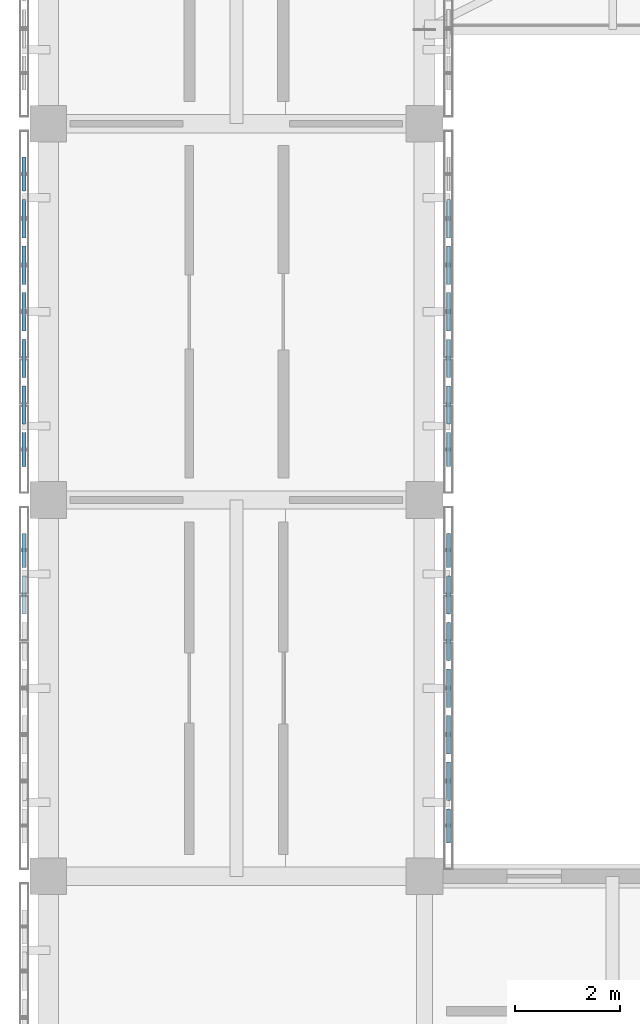
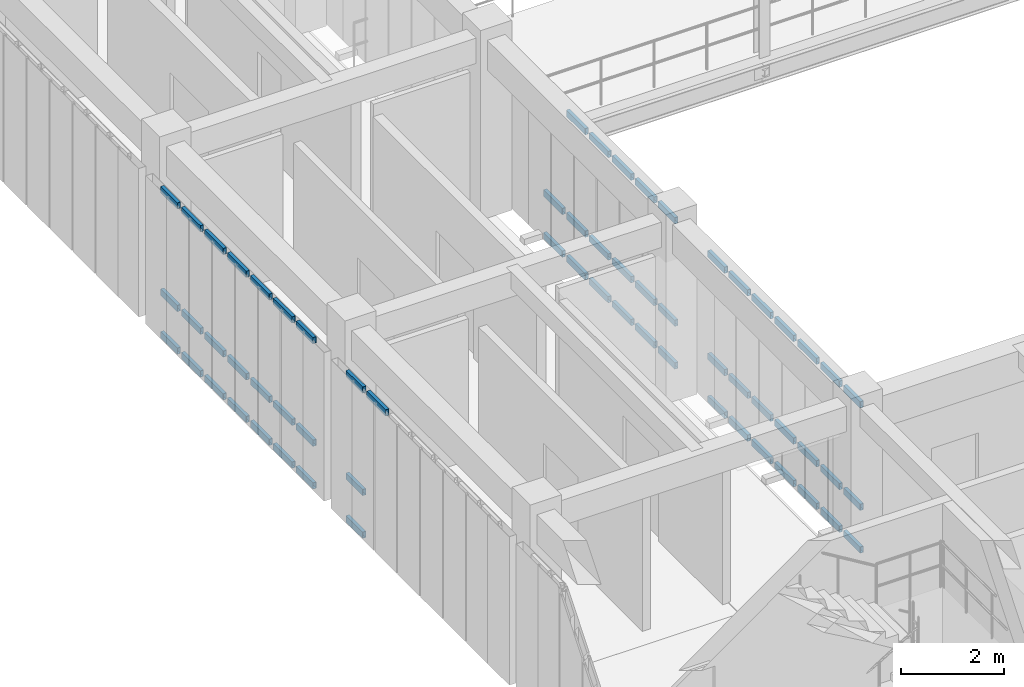
# One storey, part 77 of 171: 63 members, 4 elements without a shape of their own.
"""IFC4 building model written with IfcOpenShell, lengths in metres."""

from ifc_helpers import new_model, si_unit, direction, frame, origin, origin_2d, place, context, subcontext, project, spatial, hollow_rectangle, extrude, material, material_profile, profile_set, type_object, element, aggregate, save


model = new_model("IFC4")

# Units and contexts
model_context = context("Model", 3, precision=1e-05, world=origin(), true_north=direction((0.0, 1.0)))
body_context = subcontext(model_context, "Body", "Model", "MODEL_VIEW")
ifc_project = project(units=[si_unit("LENGTHUNIT", "METRE"), si_unit("AREAUNIT", "SQUARE_METRE"), si_unit("VOLUMEUNIT", "CUBIC_METRE"), si_unit("PLANEANGLEUNIT", "RADIAN"), si_unit("MASSUNIT", "GRAM", prefix="KILO")], contexts=[model_context])

# Site, building, storey
site_placement = place(None, origin())
site = spatial("IfcSite", under=ifc_project, at=site_placement, CompositionType="ELEMENT")
building_placement = place(site_placement, origin())
building = spatial("IfcBuilding", under=site, at=building_placement, Name="Aldebral Square Health Centre", CompositionType="ELEMENT")
storey_placement = place(building_placement, frame((0.0, 0.0, 4.5)))
storey = spatial("IfcBuildingStorey", under=building, at=storey_placement, Name="L01", CompositionType="ELEMENT", Elevation=4.5)

# Curtain wall, members
ifc_material_1 = material(Name="Aluminium and low-E solar glass", Category="aluminium")
curtain_wall_type = type_object("IfcCurtainWallType", Name="CW-FIN-SYS", PredefinedType="USERDEFINED", material=ifc_material_1)
curtain_wall_1_placement = place(storey_placement, origin())
curtain_wall_1 = element("IfcCurtainWall", 1, at=curtain_wall_1_placement, inside=storey, type_object=curtain_wall_type, Name="L01 V4 finned curtain wall L01-V4-00-09-W", ObjectType="SOLAR_CURTAIN_WALL", PredefinedType="USERDEFINED")
ifc_material_2 = material(Name="Anodised aluminium transom", Category="aluminium")
ifc_material_profile = material_profile(ifc_material_2, hollow_rectangle(XDim=0.074951171875, YDim=0.14990234375, WallThickness=0.00390625, at=origin_2d()), Name="CWT 75x150x4")
ifc_profile_set = profile_set([ifc_material_profile], Name="Anodised aluminium transom")
member_type = type_object("IfcMemberType", Name="CWT-STD", PredefinedType="USERDEFINED", material=ifc_profile_set)
member_1_placement = place(storey_placement, frame((-0.4599609375, 71.360107421875, 0.03759765625), z_axis=(0.0, -1.0, 0.0), x_axis=(1.0, 0.0, 0.0)))
member_1 = element("IfcMember", 2, at=member_1_placement, type_object=member_type, Name="CW1 transom 1.1", ObjectType="TRANSOM", PredefinedType="USERDEFINED", context=body_context, shape_type="SweptSolid", body=[
    extrude(hollow_rectangle(XDim=0.074951171875, YDim=0.14990234375, WallThickness=0.00390625, at=origin_2d()), origin(), (0.0, 0.0, 1.0), 0.651611328125),
])
member_2_placement = place(storey_placement, frame((-0.4599609375, 71.360107421875, 1.050048828125), z_axis=(0.0, -1.0, 0.0), x_axis=(1.0, 0.0, 0.0)))
member_2 = element("IfcMember", 3, at=member_2_placement, type_object=member_type, Name="CW1 transom 1.2", ObjectType="TRANSOM", PredefinedType="USERDEFINED", context=body_context, shape_type="SweptSolid", body=[
    extrude(hollow_rectangle(XDim=0.074951171875, YDim=0.14990234375, WallThickness=0.00390625, at=origin_2d()), origin(), (0.0, 0.0, 1.0), 0.651611328125),
])
member_3_placement = place(storey_placement, frame((-0.4599609375, 71.360107421875, 3.482421875), z_axis=(0.0, -1.0, 0.0), x_axis=(1.0, 0.0, 0.0)))
member_3 = element("IfcMember", 4, at=member_3_placement, type_object=member_type, Name="CW1 transom 1.3", ObjectType="TRANSOM", PredefinedType="USERDEFINED", context=body_context, shape_type="SweptSolid", body=[
    extrude(hollow_rectangle(XDim=0.074951171875, YDim=0.14990234375, WallThickness=0.00390625, at=origin_2d()), origin(), (0.0, 0.0, 1.0), 0.651611328125),
])
member_4_placement = place(storey_placement, frame((-0.4599609375, 70.548583984375, 3.482421875), z_axis=(0.0, -1.0, 0.0), x_axis=(1.0, 0.0, 0.0)))
member_4 = element("IfcMember", 5, at=member_4_placement, type_object=member_type, Name="CW1 transom 2.3", ObjectType="TRANSOM", PredefinedType="USERDEFINED", context=body_context, shape_type="SweptSolid", body=[
    extrude(hollow_rectangle(XDim=0.074951171875, YDim=0.14990234375, WallThickness=0.00390625, at=origin_2d()), origin(), (0.0, 0.0, 1.0), 0.7314453125),
])
aggregate(curtain_wall_1, [member_1, member_2, member_3, member_4])

curtain_wall_2_placement = place(storey_placement, origin())
curtain_wall_2 = element("IfcCurtainWall", 6, at=curtain_wall_2_placement, inside=storey, type_object=curtain_wall_type, Name="L01 V4 finned curtain wall L01-V4-00-09-E", ObjectType="SOLAR_CURTAIN_WALL", PredefinedType="USERDEFINED")
member_5_placement = place(storey_placement, frame((7.659912109375, 65.43994140625, 0.03759765625), z_axis=(0.0, 1.0, 0.0), x_axis=(-1.0, 0.0, 0.0)))
member_5 = element("IfcMember", 7, at=member_5_placement, type_object=member_type, Name="CW1 transom 1.1", ObjectType="TRANSOM", PredefinedType="USERDEFINED", context=body_context, shape_type="SweptSolid", body=[
    extrude(hollow_rectangle(XDim=0.074951171875, YDim=0.14990234375, WallThickness=0.00390625, at=origin_2d()), origin(), (0.0, 0.0, 1.0), 0.6513671875),
])
member_6_placement = place(storey_placement, frame((7.659912109375, 65.43994140625, 1.050048828125), z_axis=(0.0, 1.0, 0.0), x_axis=(-1.0, 0.0, 0.0)))
member_6 = element("IfcMember", 8, at=member_6_placement, type_object=member_type, Name="CW1 transom 1.2", ObjectType="TRANSOM", PredefinedType="USERDEFINED", context=body_context, shape_type="SweptSolid", body=[
    extrude(hollow_rectangle(XDim=0.074951171875, YDim=0.14990234375, WallThickness=0.00390625, at=origin_2d()), origin(), (0.0, 0.0, 1.0), 0.6513671875),
])
member_7_placement = place(storey_placement, frame((7.659912109375, 65.43994140625, 3.482421875), z_axis=(0.0, 1.0, 0.0), x_axis=(-1.0, 0.0, 0.0)))
member_7 = element("IfcMember", 9, at=member_7_placement, type_object=member_type, Name="CW1 transom 1.3", ObjectType="TRANSOM", PredefinedType="USERDEFINED", context=body_context, shape_type="SweptSolid", body=[
    extrude(hollow_rectangle(XDim=0.074951171875, YDim=0.14990234375, WallThickness=0.00390625, at=origin_2d()), origin(), (0.0, 0.0, 1.0), 0.6513671875),
])
member_8_placement = place(storey_placement, frame((7.659912109375, 66.25146484375, 0.03759765625), z_axis=(0.0, 1.0, 0.0), x_axis=(-1.0, 0.0, 0.0)))
member_8 = element("IfcMember", 10, at=member_8_placement, type_object=member_type, Name="CW1 transom 2.1", ObjectType="TRANSOM", PredefinedType="USERDEFINED", context=body_context, shape_type="SweptSolid", body=[
    extrude(hollow_rectangle(XDim=0.074951171875, YDim=0.14990234375, WallThickness=0.00390625, at=origin_2d()), origin(), (0.0, 0.0, 1.0), 0.7314453125),
])
member_9_placement = place(storey_placement, frame((7.659912109375, 66.25146484375, 1.050048828125), z_axis=(0.0, 1.0, 0.0), x_axis=(-1.0, 0.0, 0.0)))
member_9 = element("IfcMember", 11, at=member_9_placement, type_object=member_type, Name="CW1 transom 2.2", ObjectType="TRANSOM", PredefinedType="USERDEFINED", context=body_context, shape_type="SweptSolid", body=[
    extrude(hollow_rectangle(XDim=0.074951171875, YDim=0.14990234375, WallThickness=0.00390625, at=origin_2d()), origin(), (0.0, 0.0, 1.0), 0.7314453125),
])
member_10_placement = place(storey_placement, frame((7.659912109375, 66.25146484375, 3.482421875), z_axis=(0.0, 1.0, 0.0), x_axis=(-1.0, 0.0, 0.0)))
member_10 = element("IfcMember", 12, at=member_10_placement, type_object=member_type, Name="CW1 transom 2.3", ObjectType="TRANSOM", PredefinedType="USERDEFINED", context=body_context, shape_type="SweptSolid", body=[
    extrude(hollow_rectangle(XDim=0.074951171875, YDim=0.14990234375, WallThickness=0.00390625, at=origin_2d()), origin(), (0.0, 0.0, 1.0), 0.7314453125),
])
member_11_placement = place(storey_placement, frame((7.659912109375, 67.142822265625, 0.03759765625), z_axis=(0.0, 1.0, 0.0), x_axis=(-1.0, 0.0, 0.0)))
member_11 = element("IfcMember", 13, at=member_11_placement, type_object=member_type, Name="CW1 transom 3.1", ObjectType="TRANSOM", PredefinedType="USERDEFINED", context=body_context, shape_type="SweptSolid", body=[
    extrude(hollow_rectangle(XDim=0.074951171875, YDim=0.14990234375, WallThickness=0.00390625, at=origin_2d()), origin(), (0.0, 0.0, 1.0), 0.7314453125),
])
member_12_placement = place(storey_placement, frame((7.659912109375, 67.142822265625, 1.050048828125), z_axis=(0.0, 1.0, 0.0), x_axis=(-1.0, 0.0, 0.0)))
member_12 = element("IfcMember", 14, at=member_12_placement, type_object=member_type, Name="CW1 transom 3.2", ObjectType="TRANSOM", PredefinedType="USERDEFINED", context=body_context, shape_type="SweptSolid", body=[
    extrude(hollow_rectangle(XDim=0.074951171875, YDim=0.14990234375, WallThickness=0.00390625, at=origin_2d()), origin(), (0.0, 0.0, 1.0), 0.7314453125),
])
member_13_placement = place(storey_placement, frame((7.659912109375, 67.142822265625, 3.482421875), z_axis=(0.0, 1.0, 0.0), x_axis=(-1.0, 0.0, 0.0)))
member_13 = element("IfcMember", 15, at=member_13_placement, type_object=member_type, Name="CW1 transom 3.3", ObjectType="TRANSOM", PredefinedType="USERDEFINED", context=body_context, shape_type="SweptSolid", body=[
    extrude(hollow_rectangle(XDim=0.074951171875, YDim=0.14990234375, WallThickness=0.00390625, at=origin_2d()), origin(), (0.0, 0.0, 1.0), 0.7314453125),
])
member_14_placement = place(storey_placement, frame((7.659912109375, 68.0341796875, 0.03759765625), z_axis=(0.0, 1.0, 0.0), x_axis=(-1.0, 0.0, 0.0)))
member_14 = element("IfcMember", 16, at=member_14_placement, type_object=member_type, Name="CW1 transom 4.1", ObjectType="TRANSOM", PredefinedType="USERDEFINED", context=body_context, shape_type="SweptSolid", body=[
    extrude(hollow_rectangle(XDim=0.074951171875, YDim=0.14990234375, WallThickness=0.00390625, at=origin_2d()), origin(), (0.0, 0.0, 1.0), 0.7314453125),
])
member_15_placement = place(storey_placement, frame((7.659912109375, 68.0341796875, 1.050048828125), z_axis=(0.0, 1.0, 0.0), x_axis=(-1.0, 0.0, 0.0)))
member_15 = element("IfcMember", 17, at=member_15_placement, type_object=member_type, Name="CW1 transom 4.2", ObjectType="TRANSOM", PredefinedType="USERDEFINED", context=body_context, shape_type="SweptSolid", body=[
    extrude(hollow_rectangle(XDim=0.074951171875, YDim=0.14990234375, WallThickness=0.00390625, at=origin_2d()), origin(), (0.0, 0.0, 1.0), 0.7314453125),
])
member_16_placement = place(storey_placement, frame((7.659912109375, 68.0341796875, 3.482421875), z_axis=(0.0, 1.0, 0.0), x_axis=(-1.0, 0.0, 0.0)))
member_16 = element("IfcMember", 18, at=member_16_placement, type_object=member_type, Name="CW1 transom 4.3", ObjectType="TRANSOM", PredefinedType="USERDEFINED", context=body_context, shape_type="SweptSolid", body=[
    extrude(hollow_rectangle(XDim=0.074951171875, YDim=0.14990234375, WallThickness=0.00390625, at=origin_2d()), origin(), (0.0, 0.0, 1.0), 0.7314453125),
])
member_17_placement = place(storey_placement, frame((7.659912109375, 68.92578125, 0.03759765625), z_axis=(0.0, 1.0, 0.0), x_axis=(-1.0, 0.0, 0.0)))
member_17 = element("IfcMember", 19, at=member_17_placement, type_object=member_type, Name="CW1 transom 5.1", ObjectType="TRANSOM", PredefinedType="USERDEFINED", context=body_context, shape_type="SweptSolid", body=[
    extrude(hollow_rectangle(XDim=0.074951171875, YDim=0.14990234375, WallThickness=0.00390625, at=origin_2d()), origin(), (0.0, 0.0, 1.0), 0.7314453125),
])
member_18_placement = place(storey_placement, frame((7.659912109375, 68.92578125, 1.050048828125), z_axis=(0.0, 1.0, 0.0), x_axis=(-1.0, 0.0, 0.0)))
member_18 = element("IfcMember", 20, at=member_18_placement, type_object=member_type, Name="CW1 transom 5.2", ObjectType="TRANSOM", PredefinedType="USERDEFINED", context=body_context, shape_type="SweptSolid", body=[
    extrude(hollow_rectangle(XDim=0.074951171875, YDim=0.14990234375, WallThickness=0.00390625, at=origin_2d()), origin(), (0.0, 0.0, 1.0), 0.7314453125),
])
member_19_placement = place(storey_placement, frame((7.659912109375, 68.92578125, 3.482421875), z_axis=(0.0, 1.0, 0.0), x_axis=(-1.0, 0.0, 0.0)))
member_19 = element("IfcMember", 21, at=member_19_placement, type_object=member_type, Name="CW1 transom 5.3", ObjectType="TRANSOM", PredefinedType="USERDEFINED", context=body_context, shape_type="SweptSolid", body=[
    extrude(hollow_rectangle(XDim=0.074951171875, YDim=0.14990234375, WallThickness=0.00390625, at=origin_2d()), origin(), (0.0, 0.0, 1.0), 0.7314453125),
])
member_20_placement = place(storey_placement, frame((7.659912109375, 69.817138671875, 0.03759765625), z_axis=(0.0, 1.0, 0.0), x_axis=(-1.0, 0.0, 0.0)))
member_20 = element("IfcMember", 22, at=member_20_placement, type_object=member_type, Name="CW1 transom 6.1", ObjectType="TRANSOM", PredefinedType="USERDEFINED", context=body_context, shape_type="SweptSolid", body=[
    extrude(hollow_rectangle(XDim=0.074951171875, YDim=0.14990234375, WallThickness=0.00390625, at=origin_2d()), origin(), (0.0, 0.0, 1.0), 0.7314453125),
])
member_21_placement = place(storey_placement, frame((7.659912109375, 69.817138671875, 1.050048828125), z_axis=(0.0, 1.0, 0.0), x_axis=(-1.0, 0.0, 0.0)))
member_21 = element("IfcMember", 23, at=member_21_placement, type_object=member_type, Name="CW1 transom 6.2", ObjectType="TRANSOM", PredefinedType="USERDEFINED", context=body_context, shape_type="SweptSolid", body=[
    extrude(hollow_rectangle(XDim=0.074951171875, YDim=0.14990234375, WallThickness=0.00390625, at=origin_2d()), origin(), (0.0, 0.0, 1.0), 0.7314453125),
])
member_22_placement = place(storey_placement, frame((7.659912109375, 69.817138671875, 3.482421875), z_axis=(0.0, 1.0, 0.0), x_axis=(-1.0, 0.0, 0.0)))
member_22 = element("IfcMember", 24, at=member_22_placement, type_object=member_type, Name="CW1 transom 6.3", ObjectType="TRANSOM", PredefinedType="USERDEFINED", context=body_context, shape_type="SweptSolid", body=[
    extrude(hollow_rectangle(XDim=0.074951171875, YDim=0.14990234375, WallThickness=0.00390625, at=origin_2d()), origin(), (0.0, 0.0, 1.0), 0.7314453125),
])
member_23_placement = place(storey_placement, frame((7.659912109375, 70.70849609375, 0.03759765625), z_axis=(0.0, 1.0, 0.0), x_axis=(-1.0, 0.0, 0.0)))
member_23 = element("IfcMember", 25, at=member_23_placement, type_object=member_type, Name="CW1 transom 7.1", ObjectType="TRANSOM", PredefinedType="USERDEFINED", context=body_context, shape_type="SweptSolid", body=[
    extrude(hollow_rectangle(XDim=0.074951171875, YDim=0.14990234375, WallThickness=0.00390625, at=origin_2d()), origin(), (0.0, 0.0, 1.0), 0.651611328125),
])
member_24_placement = place(storey_placement, frame((7.659912109375, 70.70849609375, 1.050048828125), z_axis=(0.0, 1.0, 0.0), x_axis=(-1.0, 0.0, 0.0)))
member_24 = element("IfcMember", 26, at=member_24_placement, type_object=member_type, Name="CW1 transom 7.2", ObjectType="TRANSOM", PredefinedType="USERDEFINED", context=body_context, shape_type="SweptSolid", body=[
    extrude(hollow_rectangle(XDim=0.074951171875, YDim=0.14990234375, WallThickness=0.00390625, at=origin_2d()), origin(), (0.0, 0.0, 1.0), 0.651611328125),
])
member_25_placement = place(storey_placement, frame((7.659912109375, 70.70849609375, 3.482421875), z_axis=(0.0, 1.0, 0.0), x_axis=(-1.0, 0.0, 0.0)))
member_25 = element("IfcMember", 27, at=member_25_placement, type_object=member_type, Name="CW1 transom 7.3", ObjectType="TRANSOM", PredefinedType="USERDEFINED", context=body_context, shape_type="SweptSolid", body=[
    extrude(hollow_rectangle(XDim=0.074951171875, YDim=0.14990234375, WallThickness=0.00390625, at=origin_2d()), origin(), (0.0, 0.0, 1.0), 0.651611328125),
])
aggregate(curtain_wall_2, [member_5, member_6, member_7, member_8, member_9, member_10, member_11, member_12, member_13, member_14, member_15, member_16, member_17, member_18, member_19, member_20, member_21, member_22, member_23, member_24, member_25])

curtain_wall_3_placement = place(storey_placement, origin())
curtain_wall_3 = element("IfcCurtainWall", 28, at=curtain_wall_3_placement, inside=storey, type_object=curtain_wall_type, Name="L01 V4 finned curtain wall L01-V4-00-10-W", ObjectType="SOLAR_CURTAIN_WALL", PredefinedType="USERDEFINED")
member_26_placement = place(storey_placement, frame((-0.4599609375, 78.56005859375, 0.03759765625), z_axis=(0.0, -1.0, 0.0), x_axis=(1.0, 0.0, 0.0)))
member_26 = element("IfcMember", 29, at=member_26_placement, type_object=member_type, Name="CW1 transom 1.1", ObjectType="TRANSOM", PredefinedType="USERDEFINED", context=body_context, shape_type="SweptSolid", body=[
    extrude(hollow_rectangle(XDim=0.074951171875, YDim=0.14990234375, WallThickness=0.00390625, at=origin_2d()), origin(), (0.0, 0.0, 1.0), 0.6513671875),
])
member_27_placement = place(storey_placement, frame((-0.4599609375, 78.56005859375, 1.050048828125), z_axis=(0.0, -1.0, 0.0), x_axis=(1.0, 0.0, 0.0)))
member_27 = element("IfcMember", 30, at=member_27_placement, type_object=member_type, Name="CW1 transom 1.2", ObjectType="TRANSOM", PredefinedType="USERDEFINED", context=body_context, shape_type="SweptSolid", body=[
    extrude(hollow_rectangle(XDim=0.074951171875, YDim=0.14990234375, WallThickness=0.00390625, at=origin_2d()), origin(), (0.0, 0.0, 1.0), 0.6513671875),
])
member_28_placement = place(storey_placement, frame((-0.4599609375, 78.56005859375, 3.482421875), z_axis=(0.0, -1.0, 0.0), x_axis=(1.0, 0.0, 0.0)))
member_28 = element("IfcMember", 31, at=member_28_placement, type_object=member_type, Name="CW1 transom 1.3", ObjectType="TRANSOM", PredefinedType="USERDEFINED", context=body_context, shape_type="SweptSolid", body=[
    extrude(hollow_rectangle(XDim=0.074951171875, YDim=0.14990234375, WallThickness=0.00390625, at=origin_2d()), origin(), (0.0, 0.0, 1.0), 0.6513671875),
])
member_29_placement = place(storey_placement, frame((-0.4599609375, 77.74853515625, 0.03759765625), z_axis=(0.0, -1.0, 0.0), x_axis=(1.0, 0.0, 0.0)))
member_29 = element("IfcMember", 32, at=member_29_placement, type_object=member_type, Name="CW1 transom 2.1", ObjectType="TRANSOM", PredefinedType="USERDEFINED", context=body_context, shape_type="SweptSolid", body=[
    extrude(hollow_rectangle(XDim=0.074951171875, YDim=0.14990234375, WallThickness=0.00390625, at=origin_2d()), origin(), (0.0, 0.0, 1.0), 0.7314453125),
])
member_30_placement = place(storey_placement, frame((-0.4599609375, 77.74853515625, 1.050048828125), z_axis=(0.0, -1.0, 0.0), x_axis=(1.0, 0.0, 0.0)))
member_30 = element("IfcMember", 33, at=member_30_placement, type_object=member_type, Name="CW1 transom 2.2", ObjectType="TRANSOM", PredefinedType="USERDEFINED", context=body_context, shape_type="SweptSolid", body=[
    extrude(hollow_rectangle(XDim=0.074951171875, YDim=0.14990234375, WallThickness=0.00390625, at=origin_2d()), origin(), (0.0, 0.0, 1.0), 0.7314453125),
])
member_31_placement = place(storey_placement, frame((-0.4599609375, 77.74853515625, 3.482421875), z_axis=(0.0, -1.0, 0.0), x_axis=(1.0, 0.0, 0.0)))
member_31 = element("IfcMember", 34, at=member_31_placement, type_object=member_type, Name="CW1 transom 2.3", ObjectType="TRANSOM", PredefinedType="USERDEFINED", context=body_context, shape_type="SweptSolid", body=[
    extrude(hollow_rectangle(XDim=0.074951171875, YDim=0.14990234375, WallThickness=0.00390625, at=origin_2d()), origin(), (0.0, 0.0, 1.0), 0.7314453125),
])
member_32_placement = place(storey_placement, frame((-0.4599609375, 76.857177734375, 0.03759765625), z_axis=(0.0, -1.0, 0.0), x_axis=(1.0, 0.0, 0.0)))
member_32 = element("IfcMember", 35, at=member_32_placement, type_object=member_type, Name="CW1 transom 3.1", ObjectType="TRANSOM", PredefinedType="USERDEFINED", context=body_context, shape_type="SweptSolid", body=[
    extrude(hollow_rectangle(XDim=0.074951171875, YDim=0.14990234375, WallThickness=0.00390625, at=origin_2d()), origin(), (0.0, 0.0, 1.0), 0.7314453125),
])
member_33_placement = place(storey_placement, frame((-0.4599609375, 76.857177734375, 1.050048828125), z_axis=(0.0, -1.0, 0.0), x_axis=(1.0, 0.0, 0.0)))
member_33 = element("IfcMember", 36, at=member_33_placement, type_object=member_type, Name="CW1 transom 3.2", ObjectType="TRANSOM", PredefinedType="USERDEFINED", context=body_context, shape_type="SweptSolid", body=[
    extrude(hollow_rectangle(XDim=0.074951171875, YDim=0.14990234375, WallThickness=0.00390625, at=origin_2d()), origin(), (0.0, 0.0, 1.0), 0.7314453125),
])
member_34_placement = place(storey_placement, frame((-0.4599609375, 76.857177734375, 3.482421875), z_axis=(0.0, -1.0, 0.0), x_axis=(1.0, 0.0, 0.0)))
member_34 = element("IfcMember", 37, at=member_34_placement, type_object=member_type, Name="CW1 transom 3.3", ObjectType="TRANSOM", PredefinedType="USERDEFINED", context=body_context, shape_type="SweptSolid", body=[
    extrude(hollow_rectangle(XDim=0.074951171875, YDim=0.14990234375, WallThickness=0.00390625, at=origin_2d()), origin(), (0.0, 0.0, 1.0), 0.7314453125),
])
member_35_placement = place(storey_placement, frame((-0.4599609375, 75.9658203125, 0.03759765625), z_axis=(0.0, -1.0, 0.0), x_axis=(1.0, 0.0, 0.0)))
member_35 = element("IfcMember", 38, at=member_35_placement, type_object=member_type, Name="CW1 transom 4.1", ObjectType="TRANSOM", PredefinedType="USERDEFINED", context=body_context, shape_type="SweptSolid", body=[
    extrude(hollow_rectangle(XDim=0.074951171875, YDim=0.14990234375, WallThickness=0.00390625, at=origin_2d()), origin(), (0.0, 0.0, 1.0), 0.7314453125),
])
member_36_placement = place(storey_placement, frame((-0.4599609375, 75.9658203125, 1.050048828125), z_axis=(0.0, -1.0, 0.0), x_axis=(1.0, 0.0, 0.0)))
member_36 = element("IfcMember", 39, at=member_36_placement, type_object=member_type, Name="CW1 transom 4.2", ObjectType="TRANSOM", PredefinedType="USERDEFINED", context=body_context, shape_type="SweptSolid", body=[
    extrude(hollow_rectangle(XDim=0.074951171875, YDim=0.14990234375, WallThickness=0.00390625, at=origin_2d()), origin(), (0.0, 0.0, 1.0), 0.7314453125),
])
member_37_placement = place(storey_placement, frame((-0.4599609375, 75.9658203125, 3.482421875), z_axis=(0.0, -1.0, 0.0), x_axis=(1.0, 0.0, 0.0)))
member_37 = element("IfcMember", 40, at=member_37_placement, type_object=member_type, Name="CW1 transom 4.3", ObjectType="TRANSOM", PredefinedType="USERDEFINED", context=body_context, shape_type="SweptSolid", body=[
    extrude(hollow_rectangle(XDim=0.074951171875, YDim=0.14990234375, WallThickness=0.00390625, at=origin_2d()), origin(), (0.0, 0.0, 1.0), 0.7314453125),
])
member_38_placement = place(storey_placement, frame((-0.4599609375, 75.07421875, 0.03759765625), z_axis=(0.0, -1.0, 0.0), x_axis=(1.0, 0.0, 0.0)))
member_38 = element("IfcMember", 41, at=member_38_placement, type_object=member_type, Name="CW1 transom 5.1", ObjectType="TRANSOM", PredefinedType="USERDEFINED", context=body_context, shape_type="SweptSolid", body=[
    extrude(hollow_rectangle(XDim=0.074951171875, YDim=0.14990234375, WallThickness=0.00390625, at=origin_2d()), origin(), (0.0, 0.0, 1.0), 0.7314453125),
])
member_39_placement = place(storey_placement, frame((-0.4599609375, 75.07421875, 1.050048828125), z_axis=(0.0, -1.0, 0.0), x_axis=(1.0, 0.0, 0.0)))
member_39 = element("IfcMember", 42, at=member_39_placement, type_object=member_type, Name="CW1 transom 5.2", ObjectType="TRANSOM", PredefinedType="USERDEFINED", context=body_context, shape_type="SweptSolid", body=[
    extrude(hollow_rectangle(XDim=0.074951171875, YDim=0.14990234375, WallThickness=0.00390625, at=origin_2d()), origin(), (0.0, 0.0, 1.0), 0.7314453125),
])
member_40_placement = place(storey_placement, frame((-0.4599609375, 75.07421875, 3.482421875), z_axis=(0.0, -1.0, 0.0), x_axis=(1.0, 0.0, 0.0)))
member_40 = element("IfcMember", 43, at=member_40_placement, type_object=member_type, Name="CW1 transom 5.3", ObjectType="TRANSOM", PredefinedType="USERDEFINED", context=body_context, shape_type="SweptSolid", body=[
    extrude(hollow_rectangle(XDim=0.074951171875, YDim=0.14990234375, WallThickness=0.00390625, at=origin_2d()), origin(), (0.0, 0.0, 1.0), 0.7314453125),
])
member_41_placement = place(storey_placement, frame((-0.4599609375, 74.182861328125, 0.03759765625), z_axis=(0.0, -1.0, 0.0), x_axis=(1.0, 0.0, 0.0)))
member_41 = element("IfcMember", 44, at=member_41_placement, type_object=member_type, Name="CW1 transom 6.1", ObjectType="TRANSOM", PredefinedType="USERDEFINED", context=body_context, shape_type="SweptSolid", body=[
    extrude(hollow_rectangle(XDim=0.074951171875, YDim=0.14990234375, WallThickness=0.00390625, at=origin_2d()), origin(), (0.0, 0.0, 1.0), 0.7314453125),
])
member_42_placement = place(storey_placement, frame((-0.4599609375, 74.182861328125, 1.050048828125), z_axis=(0.0, -1.0, 0.0), x_axis=(1.0, 0.0, 0.0)))
member_42 = element("IfcMember", 45, at=member_42_placement, type_object=member_type, Name="CW1 transom 6.2", ObjectType="TRANSOM", PredefinedType="USERDEFINED", context=body_context, shape_type="SweptSolid", body=[
    extrude(hollow_rectangle(XDim=0.074951171875, YDim=0.14990234375, WallThickness=0.00390625, at=origin_2d()), origin(), (0.0, 0.0, 1.0), 0.7314453125),
])
member_43_placement = place(storey_placement, frame((-0.4599609375, 74.182861328125, 3.482421875), z_axis=(0.0, -1.0, 0.0), x_axis=(1.0, 0.0, 0.0)))
member_43 = element("IfcMember", 46, at=member_43_placement, type_object=member_type, Name="CW1 transom 6.3", ObjectType="TRANSOM", PredefinedType="USERDEFINED", context=body_context, shape_type="SweptSolid", body=[
    extrude(hollow_rectangle(XDim=0.074951171875, YDim=0.14990234375, WallThickness=0.00390625, at=origin_2d()), origin(), (0.0, 0.0, 1.0), 0.7314453125),
])
member_44_placement = place(storey_placement, frame((-0.4599609375, 73.29150390625, 0.03759765625), z_axis=(0.0, -1.0, 0.0), x_axis=(1.0, 0.0, 0.0)))
member_44 = element("IfcMember", 47, at=member_44_placement, type_object=member_type, Name="CW1 transom 7.1", ObjectType="TRANSOM", PredefinedType="USERDEFINED", context=body_context, shape_type="SweptSolid", body=[
    extrude(hollow_rectangle(XDim=0.074951171875, YDim=0.14990234375, WallThickness=0.00390625, at=origin_2d()), origin(), (0.0, 0.0, 1.0), 0.651611328125),
])
member_45_placement = place(storey_placement, frame((-0.4599609375, 73.29150390625, 1.050048828125), z_axis=(0.0, -1.0, 0.0), x_axis=(1.0, 0.0, 0.0)))
member_45 = element("IfcMember", 48, at=member_45_placement, type_object=member_type, Name="CW1 transom 7.2", ObjectType="TRANSOM", PredefinedType="USERDEFINED", context=body_context, shape_type="SweptSolid", body=[
    extrude(hollow_rectangle(XDim=0.074951171875, YDim=0.14990234375, WallThickness=0.00390625, at=origin_2d()), origin(), (0.0, 0.0, 1.0), 0.651611328125),
])
member_46_placement = place(storey_placement, frame((-0.4599609375, 73.29150390625, 3.482421875), z_axis=(0.0, -1.0, 0.0), x_axis=(1.0, 0.0, 0.0)))
member_46 = element("IfcMember", 49, at=member_46_placement, type_object=member_type, Name="CW1 transom 7.3", ObjectType="TRANSOM", PredefinedType="USERDEFINED", context=body_context, shape_type="SweptSolid", body=[
    extrude(hollow_rectangle(XDim=0.074951171875, YDim=0.14990234375, WallThickness=0.00390625, at=origin_2d()), origin(), (0.0, 0.0, 1.0), 0.651611328125),
])
aggregate(curtain_wall_3, [member_26, member_27, member_28, member_29, member_30, member_31, member_32, member_33, member_34, member_35, member_36, member_37, member_38, member_39, member_40, member_41, member_42, member_43, member_44, member_45, member_46])

curtain_wall_4_placement = place(storey_placement, origin())
curtain_wall_4 = element("IfcCurtainWall", 50, at=curtain_wall_4_placement, inside=storey, type_object=curtain_wall_type, Name="L01 V4 finned curtain wall L01-V4-00-10-E", ObjectType="SOLAR_CURTAIN_WALL", PredefinedType="USERDEFINED")
member_47_placement = place(storey_placement, frame((7.659912109375, 72.639892578125, 0.03759765625), z_axis=(0.0, 1.0, 0.0), x_axis=(-1.0, 0.0, 0.0)))
member_47 = element("IfcMember", 51, at=member_47_placement, type_object=member_type, Name="CW1 transom 1.1", ObjectType="TRANSOM", PredefinedType="USERDEFINED", context=body_context, shape_type="SweptSolid", body=[
    extrude(hollow_rectangle(XDim=0.074951171875, YDim=0.14990234375, WallThickness=0.00390625, at=origin_2d()), origin(), (0.0, 0.0, 1.0), 0.651611328125),
])
member_48_placement = place(storey_placement, frame((7.659912109375, 72.639892578125, 1.050048828125), z_axis=(0.0, 1.0, 0.0), x_axis=(-1.0, 0.0, 0.0)))
member_48 = element("IfcMember", 52, at=member_48_placement, type_object=member_type, Name="CW1 transom 1.2", ObjectType="TRANSOM", PredefinedType="USERDEFINED", context=body_context, shape_type="SweptSolid", body=[
    extrude(hollow_rectangle(XDim=0.074951171875, YDim=0.14990234375, WallThickness=0.00390625, at=origin_2d()), origin(), (0.0, 0.0, 1.0), 0.651611328125),
])
member_49_placement = place(storey_placement, frame((7.659912109375, 72.639892578125, 3.482421875), z_axis=(0.0, 1.0, 0.0), x_axis=(-1.0, 0.0, 0.0)))
member_49 = element("IfcMember", 53, at=member_49_placement, type_object=member_type, Name="CW1 transom 1.3", ObjectType="TRANSOM", PredefinedType="USERDEFINED", context=body_context, shape_type="SweptSolid", body=[
    extrude(hollow_rectangle(XDim=0.074951171875, YDim=0.14990234375, WallThickness=0.00390625, at=origin_2d()), origin(), (0.0, 0.0, 1.0), 0.651611328125),
])
member_50_placement = place(storey_placement, frame((7.659912109375, 73.451416015625, 0.03759765625), z_axis=(0.0, 1.0, 0.0), x_axis=(-1.0, 0.0, 0.0)))
member_50 = element("IfcMember", 54, at=member_50_placement, type_object=member_type, Name="CW1 transom 2.1", ObjectType="TRANSOM", PredefinedType="USERDEFINED", context=body_context, shape_type="SweptSolid", body=[
    extrude(hollow_rectangle(XDim=0.074951171875, YDim=0.14990234375, WallThickness=0.00390625, at=origin_2d()), origin(), (0.0, 0.0, 1.0), 0.7314453125),
])
member_51_placement = place(storey_placement, frame((7.659912109375, 73.451416015625, 1.050048828125), z_axis=(0.0, 1.0, 0.0), x_axis=(-1.0, 0.0, 0.0)))
member_51 = element("IfcMember", 55, at=member_51_placement, type_object=member_type, Name="CW1 transom 2.2", ObjectType="TRANSOM", PredefinedType="USERDEFINED", context=body_context, shape_type="SweptSolid", body=[
    extrude(hollow_rectangle(XDim=0.074951171875, YDim=0.14990234375, WallThickness=0.00390625, at=origin_2d()), origin(), (0.0, 0.0, 1.0), 0.7314453125),
])
member_52_placement = place(storey_placement, frame((7.659912109375, 73.451416015625, 3.482421875), z_axis=(0.0, 1.0, 0.0), x_axis=(-1.0, 0.0, 0.0)))
member_52 = element("IfcMember", 56, at=member_52_placement, type_object=member_type, Name="CW1 transom 2.3", ObjectType="TRANSOM", PredefinedType="USERDEFINED", context=body_context, shape_type="SweptSolid", body=[
    extrude(hollow_rectangle(XDim=0.074951171875, YDim=0.14990234375, WallThickness=0.00390625, at=origin_2d()), origin(), (0.0, 0.0, 1.0), 0.7314453125),
])
member_53_placement = place(storey_placement, frame((7.659912109375, 74.3427734375, 0.03759765625), z_axis=(0.0, 1.0, 0.0), x_axis=(-1.0, 0.0, 0.0)))
member_53 = element("IfcMember", 57, at=member_53_placement, type_object=member_type, Name="CW1 transom 3.1", ObjectType="TRANSOM", PredefinedType="USERDEFINED", context=body_context, shape_type="SweptSolid", body=[
    extrude(hollow_rectangle(XDim=0.074951171875, YDim=0.14990234375, WallThickness=0.00390625, at=origin_2d()), origin(), (0.0, 0.0, 1.0), 0.7314453125),
])
member_54_placement = place(storey_placement, frame((7.659912109375, 74.3427734375, 1.050048828125), z_axis=(0.0, 1.0, 0.0), x_axis=(-1.0, 0.0, 0.0)))
member_54 = element("IfcMember", 58, at=member_54_placement, type_object=member_type, Name="CW1 transom 3.2", ObjectType="TRANSOM", PredefinedType="USERDEFINED", context=body_context, shape_type="SweptSolid", body=[
    extrude(hollow_rectangle(XDim=0.074951171875, YDim=0.14990234375, WallThickness=0.00390625, at=origin_2d()), origin(), (0.0, 0.0, 1.0), 0.7314453125),
])
member_55_placement = place(storey_placement, frame((7.659912109375, 74.3427734375, 3.482421875), z_axis=(0.0, 1.0, 0.0), x_axis=(-1.0, 0.0, 0.0)))
member_55 = element("IfcMember", 59, at=member_55_placement, type_object=member_type, Name="CW1 transom 3.3", ObjectType="TRANSOM", PredefinedType="USERDEFINED", context=body_context, shape_type="SweptSolid", body=[
    extrude(hollow_rectangle(XDim=0.074951171875, YDim=0.14990234375, WallThickness=0.00390625, at=origin_2d()), origin(), (0.0, 0.0, 1.0), 0.7314453125),
])
member_56_placement = place(storey_placement, frame((7.659912109375, 75.234375, 0.03759765625), z_axis=(0.0, 1.0, 0.0), x_axis=(-1.0, 0.0, 0.0)))
member_56 = element("IfcMember", 60, at=member_56_placement, type_object=member_type, Name="CW1 transom 4.1", ObjectType="TRANSOM", PredefinedType="USERDEFINED", context=body_context, shape_type="SweptSolid", body=[
    extrude(hollow_rectangle(XDim=0.074951171875, YDim=0.14990234375, WallThickness=0.00390625, at=origin_2d()), origin(), (0.0, 0.0, 1.0), 0.7314453125),
])
member_57_placement = place(storey_placement, frame((7.659912109375, 75.234375, 1.050048828125), z_axis=(0.0, 1.0, 0.0), x_axis=(-1.0, 0.0, 0.0)))
member_57 = element("IfcMember", 61, at=member_57_placement, type_object=member_type, Name="CW1 transom 4.2", ObjectType="TRANSOM", PredefinedType="USERDEFINED", context=body_context, shape_type="SweptSolid", body=[
    extrude(hollow_rectangle(XDim=0.074951171875, YDim=0.14990234375, WallThickness=0.00390625, at=origin_2d()), origin(), (0.0, 0.0, 1.0), 0.7314453125),
])
member_58_placement = place(storey_placement, frame((7.659912109375, 75.234375, 3.482421875), z_axis=(0.0, 1.0, 0.0), x_axis=(-1.0, 0.0, 0.0)))
member_58 = element("IfcMember", 62, at=member_58_placement, type_object=member_type, Name="CW1 transom 4.3", ObjectType="TRANSOM", PredefinedType="USERDEFINED", context=body_context, shape_type="SweptSolid", body=[
    extrude(hollow_rectangle(XDim=0.074951171875, YDim=0.14990234375, WallThickness=0.00390625, at=origin_2d()), origin(), (0.0, 0.0, 1.0), 0.7314453125),
])
member_59_placement = place(storey_placement, frame((7.659912109375, 76.125732421875, 0.03759765625), z_axis=(0.0, 1.0, 0.0), x_axis=(-1.0, 0.0, 0.0)))
member_59 = element("IfcMember", 63, at=member_59_placement, type_object=member_type, Name="CW1 transom 5.1", ObjectType="TRANSOM", PredefinedType="USERDEFINED", context=body_context, shape_type="SweptSolid", body=[
    extrude(hollow_rectangle(XDim=0.074951171875, YDim=0.14990234375, WallThickness=0.00390625, at=origin_2d()), origin(), (0.0, 0.0, 1.0), 0.7314453125),
])
member_60_placement = place(storey_placement, frame((7.659912109375, 76.125732421875, 1.050048828125), z_axis=(0.0, 1.0, 0.0), x_axis=(-1.0, 0.0, 0.0)))
member_60 = element("IfcMember", 64, at=member_60_placement, type_object=member_type, Name="CW1 transom 5.2", ObjectType="TRANSOM", PredefinedType="USERDEFINED", context=body_context, shape_type="SweptSolid", body=[
    extrude(hollow_rectangle(XDim=0.074951171875, YDim=0.14990234375, WallThickness=0.00390625, at=origin_2d()), origin(), (0.0, 0.0, 1.0), 0.7314453125),
])
member_61_placement = place(storey_placement, frame((7.659912109375, 76.125732421875, 3.482421875), z_axis=(0.0, 1.0, 0.0), x_axis=(-1.0, 0.0, 0.0)))
member_61 = element("IfcMember", 65, at=member_61_placement, type_object=member_type, Name="CW1 transom 5.3", ObjectType="TRANSOM", PredefinedType="USERDEFINED", context=body_context, shape_type="SweptSolid", body=[
    extrude(hollow_rectangle(XDim=0.074951171875, YDim=0.14990234375, WallThickness=0.00390625, at=origin_2d()), origin(), (0.0, 0.0, 1.0), 0.7314453125),
])
member_62_placement = place(storey_placement, frame((7.659912109375, 77.01708984375, 0.03759765625), z_axis=(0.0, 1.0, 0.0), x_axis=(-1.0, 0.0, 0.0)))
member_62 = element("IfcMember", 66, at=member_62_placement, type_object=member_type, Name="CW1 transom 6.1", ObjectType="TRANSOM", PredefinedType="USERDEFINED", context=body_context, shape_type="SweptSolid", body=[
    extrude(hollow_rectangle(XDim=0.074951171875, YDim=0.14990234375, WallThickness=0.00390625, at=origin_2d()), origin(), (0.0, 0.0, 1.0), 0.7314453125),
])
member_63_placement = place(storey_placement, frame((7.659912109375, 77.01708984375, 1.050048828125), z_axis=(0.0, 1.0, 0.0), x_axis=(-1.0, 0.0, 0.0)))
member_63 = element("IfcMember", 67, at=member_63_placement, type_object=member_type, Name="CW1 transom 6.2", ObjectType="TRANSOM", PredefinedType="USERDEFINED", context=body_context, shape_type="SweptSolid", body=[
    extrude(hollow_rectangle(XDim=0.074951171875, YDim=0.14990234375, WallThickness=0.00390625, at=origin_2d()), origin(), (0.0, 0.0, 1.0), 0.7314453125),
])
aggregate(curtain_wall_4, [member_47, member_48, member_49, member_50, member_51, member_52, member_53, member_54, member_55, member_56, member_57, member_58, member_59, member_60, member_61, member_62, member_63])

save(model, "model.ifc")
